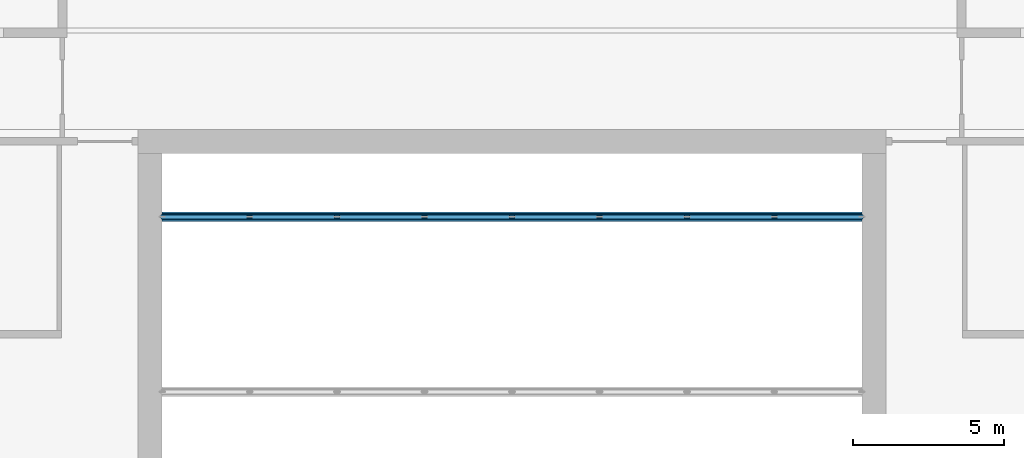
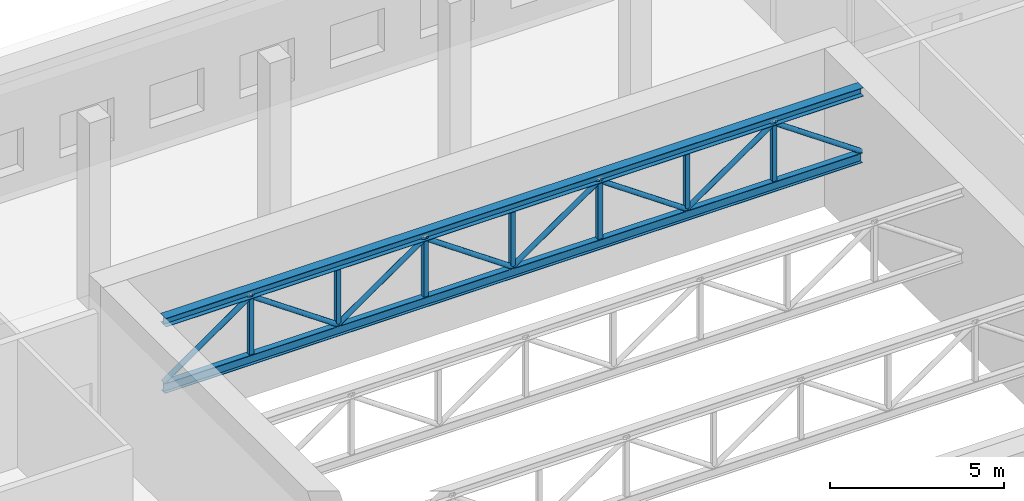
# One storey, part 7 of 35: 17 members.
"""IFC4 building model written with IfcOpenShell, lengths in metres."""

from ifc_helpers import new_model, si_unit, direction, frame, origin, origin_2d, place, context, subcontext, project, spatial, hollow_rectangle, hollow_circle, i_section, extrude, material, material_profile, profile_set, type_object, element, save


model = new_model("IFC4")

# Units and contexts
model_context = context("Model", 3, precision=1e-05, world=origin(), true_north=direction((0.0, 1.0)))
body_context = subcontext(model_context, "Body", "Model", "MODEL_VIEW")
ifc_project = project(units=[si_unit("LENGTHUNIT", "METRE"), si_unit("AREAUNIT", "SQUARE_METRE"), si_unit("VOLUMEUNIT", "CUBIC_METRE"), si_unit("PLANEANGLEUNIT", "RADIAN"), si_unit("MASSUNIT", "GRAM", prefix="KILO")], contexts=[model_context])

# Site, building, storey
site_placement = place(None, origin())
site = spatial("IfcSite", under=ifc_project, at=site_placement, CompositionType="ELEMENT")
building_placement = place(site_placement, origin())
building = spatial("IfcBuilding", under=site, at=building_placement, Name="Kiln Ring Residences", CompositionType="ELEMENT")
storey_placement = place(building_placement, frame((0.0, 0.0, 20.89990234375)))
storey = spatial("IfcBuildingStorey", under=building, at=storey_placement, Name="L04", CompositionType="ELEMENT", Elevation=20.89990234375)

# Members
ifc_material_1 = material(Name="Structural steel ASTM A992", Category="steel")
ifc_material_profile_1 = material_profile(ifc_material_1, i_section(OverallWidth=0.2041015625, OverallDepth=0.35009765625, WebThickness=0.008544921875, FlangeThickness=0.01513671875, at=origin_2d()), Name="W360x72")
ifc_profile_set_1 = profile_set([ifc_material_profile_1], Name="Structural steel ASTM A992")
member_type_1 = type_object("IfcMemberType", Name="Hall roof truss bottom chord W360x72", PredefinedType="CHORD", material=ifc_profile_set_1)
member_1_placement = place(storey_placement, frame((-11.60009765625, -127.300048828125, 3.050048828125), z_axis=(1.0, 0.0, 0.0), x_axis=(0.0, 1.0, 0.0)))
element("IfcMember", 1, at=member_1_placement, inside=storey, type_object=member_type_1, Name="Hall truss 6 bottom chord", PredefinedType="CHORD", context=body_context, shape_type="SweptSolid", body=[
    extrude(i_section(OverallWidth=0.2041015625, OverallDepth=0.35009765625, WebThickness=0.008544921875, FlangeThickness=0.01513671875, at=origin_2d()), origin(), (0.0, 0.0, 1.0), 23.2001953125),
])
ifc_material_2 = material(Name="Structural steel ASTM A500 Gr. C", Category="steel")
ifc_material_profile_2 = material_profile(ifc_material_2, hollow_circle(Radius=0.084228515625, WallThickness=0.007080078125, at=origin_2d()), Name="HSS168x7.1")
ifc_profile_set_2 = profile_set([ifc_material_profile_2], Name="Structural steel ASTM A500 Gr. C")
member_type_2 = type_object("IfcMemberType", Name="Hall roof truss diagonal HSS168x7.1", PredefinedType="BRACE", material=ifc_profile_set_2)
member_2_placement = place(storey_placement, frame((-11.60009765625, -127.300048828125, 3.22509765625), z_axis=(0.820958725483, 0.0, 0.570987540192), x_axis=(0.0, 1.0, 0.0)))
element("IfcMember", 2, at=member_2_placement, inside=storey, type_object=member_type_2, Name="Hall truss 6 diagonal 1", PredefinedType="BRACE", context=body_context, shape_type="SweptSolid", body=[
    extrude(hollow_circle(Radius=0.084228515625, WallThickness=0.007080078125, at=origin_2d()), origin(), (0.0, 0.0, 1.0), 3.53271484375),
])
member_3_placement = place(storey_placement, frame((-8.699951171875, -127.300048828125, 5.2421875), z_axis=(0.820936191826, 0.0, -0.571019937436), x_axis=(0.0, 1.0, 0.0)))
element("IfcMember", 3, at=member_3_placement, inside=storey, type_object=member_type_2, Name="Hall truss 6 diagonal 2", PredefinedType="BRACE", context=body_context, shape_type="SweptSolid", body=[
    extrude(hollow_circle(Radius=0.084228515625, WallThickness=0.007080078125, at=origin_2d()), origin(), (0.0, 0.0, 1.0), 3.532470703125),
])
member_4_placement = place(storey_placement, frame((-5.800048828125, -127.300048828125, 3.22509765625), z_axis=(0.820958725483, 0.0, 0.570987540192), x_axis=(0.0, 1.0, 0.0)))
element("IfcMember", 4, at=member_4_placement, inside=storey, type_object=member_type_2, Name="Hall truss 6 diagonal 3", PredefinedType="BRACE", context=body_context, shape_type="SweptSolid", body=[
    extrude(hollow_circle(Radius=0.084228515625, WallThickness=0.007080078125, at=origin_2d()), origin(), (0.0, 0.0, 1.0), 3.53271484375),
])
for number, where, z_axis, x_axis, name in (
    (5, (-2.89990234375, -127.300048828125, 5.2421875), (0.820936191826, 0.0, -0.571019937436), (0.0, 1.0, 0.0), "Hall truss 6 diagonal 4"),
    (6, (0.0, -127.300048828125, 3.22509765625), (0.820936191826, 0.0, 0.571019937436), (0.0, 1.0, 0.0), "Hall truss 6 diagonal 5"),
):
    element("IfcMember", number, at=place(storey_placement, frame(where, z_axis=z_axis, x_axis=x_axis)), inside=storey, type_object=member_type_2, Name=name, PredefinedType="BRACE", context=body_context, shape_type="SweptSolid", body=[
        extrude(hollow_circle(Radius=0.084228515625, WallThickness=0.007080078125, at=origin_2d()), origin(), (0.0, 0.0, 1.0), 3.532470703125),
    ])
member_5_placement = place(storey_placement, frame((2.89990234375, -127.300048828125, 5.2421875), z_axis=(0.820958725483, 0.0, -0.570987540192), x_axis=(0.0, 1.0, 0.0)))
element("IfcMember", 7, at=member_5_placement, inside=storey, type_object=member_type_2, Name="Hall truss 6 diagonal 6", PredefinedType="BRACE", context=body_context, shape_type="SweptSolid", body=[
    extrude(hollow_circle(Radius=0.084228515625, WallThickness=0.007080078125, at=origin_2d()), origin(), (0.0, 0.0, 1.0), 3.53271484375),
])
member_6_placement = place(storey_placement, frame((5.800048828125, -127.300048828125, 3.22509765625), z_axis=(0.820936191826, 0.0, 0.571019937436), x_axis=(0.0, 1.0, 0.0)))
element("IfcMember", 8, at=member_6_placement, inside=storey, type_object=member_type_2, Name="Hall truss 6 diagonal 7", PredefinedType="BRACE", context=body_context, shape_type="SweptSolid", body=[
    extrude(hollow_circle(Radius=0.084228515625, WallThickness=0.007080078125, at=origin_2d()), origin(), (0.0, 0.0, 1.0), 3.532470703125),
])
member_7_placement = place(storey_placement, frame((8.699951171875, -127.300048828125, 5.2421875), z_axis=(0.820958725483, 0.0, -0.570987540192), x_axis=(0.0, 1.0, 0.0)))
element("IfcMember", 9, at=member_7_placement, inside=storey, type_object=member_type_2, Name="Hall truss 6 diagonal 8", PredefinedType="BRACE", context=body_context, shape_type="SweptSolid", body=[
    extrude(hollow_circle(Radius=0.084228515625, WallThickness=0.007080078125, at=origin_2d()), origin(), (0.0, 0.0, 1.0), 3.53271484375),
])
ifc_material_3 = material(Name="Structural steel ASTM A500 Gr. C", Category="steel")
ifc_material_profile_3 = material_profile(ifc_material_3, hollow_rectangle(XDim=0.152099609375, YDim=0.152099609375, WallThickness=0.0078125, at=origin_2d()), Name="HSS152x152x7.9")
ifc_profile_set_3 = profile_set([ifc_material_profile_3], Name="Structural steel ASTM A500 Gr. C")
member_type_3 = type_object("IfcMemberType", Name="Hall roof truss post HSS152x152x7.9", PredefinedType="POST", material=ifc_profile_set_3)
for number, where, z_axis, x_axis, name in (
    (10, (-8.699951171875, -127.300048828125, 3.22509765625), (0.0, 0.0, 1.0), (1.0, 0.0, 0.0), "Hall truss 6 post 1"),
    (11, (-5.800048828125, -127.300048828125, 3.22509765625), (0.0, 0.0, 1.0), (1.0, 0.0, 0.0), "Hall truss 6 post 2"),
    (12, (-2.89990234375, -127.300048828125, 3.22509765625), (0.0, 0.0, 1.0), (1.0, 0.0, 0.0), "Hall truss 6 post 3"),
    (13, (0.0, -127.300048828125, 3.22509765625), (0.0, 0.0, 1.0), (1.0, 0.0, 0.0), "Hall truss 6 post 4"),
    (14, (2.89990234375, -127.300048828125, 3.22509765625), (0.0, 0.0, 1.0), (1.0, 0.0, 0.0), "Hall truss 6 post 5"),
    (15, (5.800048828125, -127.300048828125, 3.22509765625), (0.0, 0.0, 1.0), (1.0, 0.0, 0.0), "Hall truss 6 post 6"),
    (16, (8.699951171875, -127.300048828125, 3.22509765625), (0.0, 0.0, 1.0), (1.0, 0.0, 0.0), "Hall truss 6 post 7"),
):
    element("IfcMember", number, at=place(storey_placement, frame(where, z_axis=z_axis, x_axis=x_axis)), inside=storey, type_object=member_type_3, Name=name, PredefinedType="POST", context=body_context, shape_type="SweptSolid", body=[
        extrude(hollow_rectangle(XDim=0.152099609375, YDim=0.152099609375, WallThickness=0.0078125, at=origin_2d()), origin(), (0.0, 0.0, 1.0), 2.01708984375),
    ])
ifc_material_4 = material(Name="Structural steel ASTM A992", Category="steel")
ifc_material_profile_4 = material_profile(ifc_material_4, i_section(OverallWidth=0.304931640625, OverallDepth=0.30810546875, WebThickness=0.010009765625, FlangeThickness=0.015380859375, at=origin_2d()), Name="W310x97")
ifc_profile_set_4 = profile_set([ifc_material_profile_4], Name="Structural steel ASTM A992")
member_type_4 = type_object("IfcMemberType", Name="Hall roof truss top chord W310x97", PredefinedType="CHORD", material=ifc_profile_set_4)
member_8_placement = place(storey_placement, frame((-11.60009765625, -127.300048828125, 5.39599609375), z_axis=(1.0, 0.0, 0.0), x_axis=(0.0, 1.0, 0.0)))
element("IfcMember", 17, at=member_8_placement, inside=storey, type_object=member_type_4, Name="Hall truss 6 top chord", PredefinedType="CHORD", context=body_context, shape_type="SweptSolid", body=[
    extrude(i_section(OverallWidth=0.304931640625, OverallDepth=0.30810546875, WebThickness=0.010009765625, FlangeThickness=0.015380859375, at=origin_2d()), origin(), (0.0, 0.0, 1.0), 23.2001953125),
])

save(model, "model.ifc")
